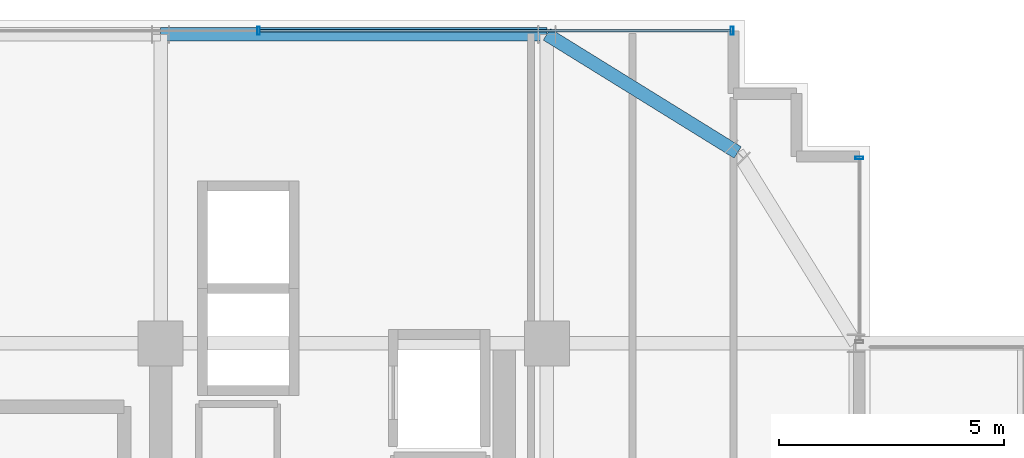
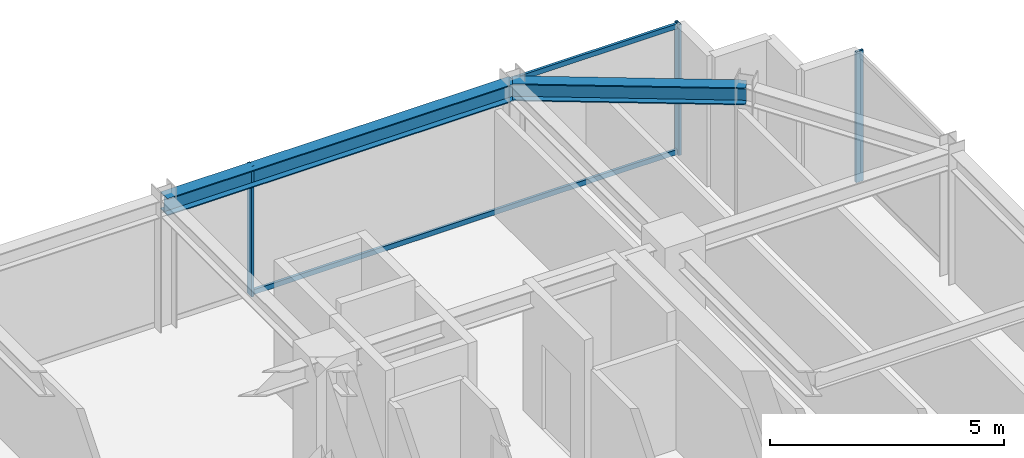
# One storey, part 26 of 34: 5 members, 2 beams, 2 elements without a shape of their own.
"""IFC4 building model written with IfcOpenShell, lengths in metres."""

from ifc_helpers import new_model, si_unit, direction, frame, origin, origin_2d, place, context, subcontext, project, spatial, hollow_rectangle, i_section, extrude, source, transform, mapped, material, material_profile, profile_set, type_object, element, aggregate, save


model = new_model("IFC4")

# Units and contexts
model_context = context("Model", 3, precision=1e-05, world=origin(), true_north=direction((0.0, 1.0)))
body_context = subcontext(model_context, "Body", "Model", "MODEL_VIEW")
ifc_project = project(units=[si_unit("LENGTHUNIT", "METRE"), si_unit("AREAUNIT", "SQUARE_METRE"), si_unit("VOLUMEUNIT", "CUBIC_METRE"), si_unit("PLANEANGLEUNIT", "RADIAN"), si_unit("MASSUNIT", "GRAM", prefix="KILO")], contexts=[model_context])

# Site, building, storey
site_placement = place(None, origin())
site = spatial("IfcSite", under=ifc_project, at=site_placement, CompositionType="ELEMENT")
building_placement = place(site_placement, origin())
building = spatial("IfcBuilding", under=site, at=building_placement, Name="Nahalor Promenade Grand Hotel", CompositionType="ELEMENT")
storey_placement = place(building_placement, frame((0.0, 0.0, 238.199951171875)))
storey = spatial("IfcBuildingStorey", under=building, at=storey_placement, Name="L61", CompositionType="ELEMENT", Elevation=238.199951171875)

# Beams
ifc_material_1 = material(Name="Steel S355JR", Category="steel")
ifc_material_profile_1 = material_profile(ifc_material_1, i_section(OverallWidth=0.3, OverallDepth=0.45, WebThickness=0.014, FlangeThickness=0.026, at=origin_2d()), Name="HEB 450")
ifc_profile_set_1 = profile_set([ifc_material_profile_1], Name="Steel S355JR")
beam_type = type_object("IfcBeamType", Name="Beam-Spandrel-HEB450", PredefinedType="SPANDREL", material=ifc_profile_set_1)
shared_shape_1 = source(origin(), body_context, "Body", "SweptSolid", [
    extrude(i_section(OverallWidth=0.3, OverallDepth=0.45, WebThickness=0.014, FlangeThickness=0.026, at=origin_2d()), origin(), (0.0, 0.0, 1.0), 8.60009765625),
])
beam_1_placement = place(storey_placement, frame((8.39990234375, 23.8798828125, 3.18505859375), z_axis=(1.0, 0.0, 0.0), x_axis=(0.0, 1.0, 0.0)))
element("IfcBeam", 1, at=beam_1_placement, inside=storey, type_object=beam_type, Name="BM-L61-SP-N-4", PredefinedType="SPANDREL", context=body_context, shape_type="MappedRepresentation", body=[
    mapped(shared_shape_1, transform((0.0, 0.0, 0.0), scale=1.0)),
])
shared_shape_2 = source(origin(), body_context, "Body", "SweptSolid", [
    extrude(i_section(OverallWidth=0.3, OverallDepth=0.45, WebThickness=0.014, FlangeThickness=0.026, at=origin_2d()), origin(), (0.0, 0.0, 1.0), 4.997802734375),
])
beam_2_placement = place(storey_placement, frame((17.0, 23.8798828125, 3.18505859375), z_axis=(0.850360908404, -0.526199891161, 0.0), x_axis=(0.526199891161, 0.850360908404, 0.0)))
element("IfcBeam", 2, at=beam_2_placement, inside=storey, type_object=beam_type, Name="BM-L61-SPC-NE-1", PredefinedType="SPANDREL", context=body_context, shape_type="MappedRepresentation", body=[
    mapped(shared_shape_2, transform((0.0, 0.0, 0.0), scale=1.0)),
])

# Curtain wall, members
ifc_material_2 = material(Name="Anodised Bronze Aluminium EN AW-6063 T6", Category="aluminium")
curtain_wall_type = type_object("IfcCurtainWallType", Name="CW2 Typical Hotel Flush Bronze Unitised Curtain Wall", PredefinedType="USERDEFINED", material=ifc_material_2)
curtain_wall_1_placement = place(storey_placement, origin())
curtain_wall_1 = element("IfcCurtainWall", 3, at=curtain_wall_1_placement, inside=storey, type_object=curtain_wall_type, Name="L61 Curtain Wall CW-L61-N-1", ObjectType="UNITISED_CURTAIN_WALL", PredefinedType="USERDEFINED")
ifc_material_profile_2 = material_profile(ifc_material_2, hollow_rectangle(XDim=0.065, YDim=0.18, WallThickness=0.004, at=origin_2d()), Name="CWM 65x180x4")
ifc_profile_set_2 = profile_set([ifc_material_profile_2], Name="Anodised Bronze Aluminium EN AW-6063 T6")
member_type_1 = type_object("IfcMemberType", Name="CWM2 Typical Bronze Mullion 65x180", PredefinedType="MULLION", material=ifc_profile_set_2)
shared_shape_3 = source(origin(), body_context, "Body", "SweptSolid", [
    extrude(hollow_rectangle(XDim=0.065, YDim=0.18, WallThickness=0.004, at=origin_2d()), origin(), (0.0, 0.0, 1.0), 3.41015625),
])
member_1_placement = place(storey_placement, frame((10.580078125, 23.9599609375, 0.0), z_axis=(0.0, 0.0, 1.0), x_axis=(1.0, 0.0, 0.0)))
member_1 = element("IfcMember", 4, at=member_1_placement, type_object=member_type_1, Name="CW-L61-N-1 Mullion 3", PredefinedType="MULLION", context=body_context, shape_type="MappedRepresentation", body=[
    mapped(shared_shape_3, transform((0.0, 0.0, 0.0), scale=1.0)),
])
member_2_placement = place(storey_placement, frame((21.12744140625, 23.9599609375, 0.0), z_axis=(0.0, 0.0, 1.0), x_axis=(1.0, 0.0, 0.0)))
member_2 = element("IfcMember", 5, at=member_2_placement, type_object=member_type_1, Name="CW-L61-N-1 Mullion 4", PredefinedType="MULLION", context=body_context, shape_type="MappedRepresentation", body=[
    mapped(shared_shape_3, transform((0.0, 0.0, 0.0), scale=1.0)),
])

# Curtain wall, member
curtain_wall_2_placement = place(storey_placement, origin())
curtain_wall_2 = element("IfcCurtainWall", 6, at=curtain_wall_2_placement, inside=storey, type_object=curtain_wall_type, Name="L61 Curtain Wall CW-L61-E-3", ObjectType="UNITISED_CURTAIN_WALL", PredefinedType="USERDEFINED")
member_3_placement = place(storey_placement, frame((23.9599609375, 21.12744140625, 0.0), z_axis=(0.0, 0.0, 1.0), x_axis=(0.0, 1.0, 0.0)))
member_3 = element("IfcMember", 7, at=member_3_placement, type_object=member_type_1, Name="CW-L61-E-3 Mullion 1", PredefinedType="MULLION", context=body_context, shape_type="MappedRepresentation", body=[
    mapped(shared_shape_3, transform((0.0, 0.0, 0.0), scale=1.0)),
])
aggregate(curtain_wall_2, [member_3])

# Member
ifc_material_profile_3 = material_profile(ifc_material_2, hollow_rectangle(XDim=0.065, YDim=0.13, WallThickness=0.004, at=origin_2d()), Name="CWT 65x130x4")
ifc_profile_set_3 = profile_set([ifc_material_profile_3], Name="Anodised Bronze Aluminium EN AW-6063 T6")
member_type_2 = type_object("IfcMemberType", Name="CWT2 Typical Bronze Transom 65x130", PredefinedType="USERDEFINED", material=ifc_profile_set_3)
shared_shape_4 = source(origin(), body_context, "Body", "SweptSolid", [
    extrude(hollow_rectangle(XDim=0.065, YDim=0.13, WallThickness=0.004, at=origin_2d()), origin(), (0.0, 0.0, 1.0), 10.482421875),
])
member_4_placement = place(storey_placement, frame((10.612548828125, 23.9599609375, 0.06494140625), z_axis=(1.0, 0.0, 0.0), x_axis=(0.0, 1.0, 0.0)))
member_4 = element("IfcMember", 8, at=member_4_placement, type_object=member_type_2, Name="CW-L61-N-1 Transom 3-0", ObjectType="TRANSOM", PredefinedType="USERDEFINED", context=body_context, shape_type="MappedRepresentation", body=[
    mapped(shared_shape_4, transform((0.0, 0.0, 0.0), scale=1.0)),
])

member_5_placement = place(storey_placement, frame((10.612548828125, 23.9599609375, 3.344970703125), z_axis=(1.0, 0.0, 0.0), x_axis=(0.0, 1.0, 0.0)))
member_5 = element("IfcMember", 9, at=member_5_placement, type_object=member_type_2, Name="CW-L61-N-1 Transom 3-1", ObjectType="TRANSOM", PredefinedType="USERDEFINED", context=body_context, shape_type="MappedRepresentation", body=[
    mapped(shared_shape_4, transform((0.0, 0.0, 0.0), scale=1.0)),
])

aggregate(curtain_wall_1, [member_1, member_2, member_4, member_5])

save(model, "model.ifc")
